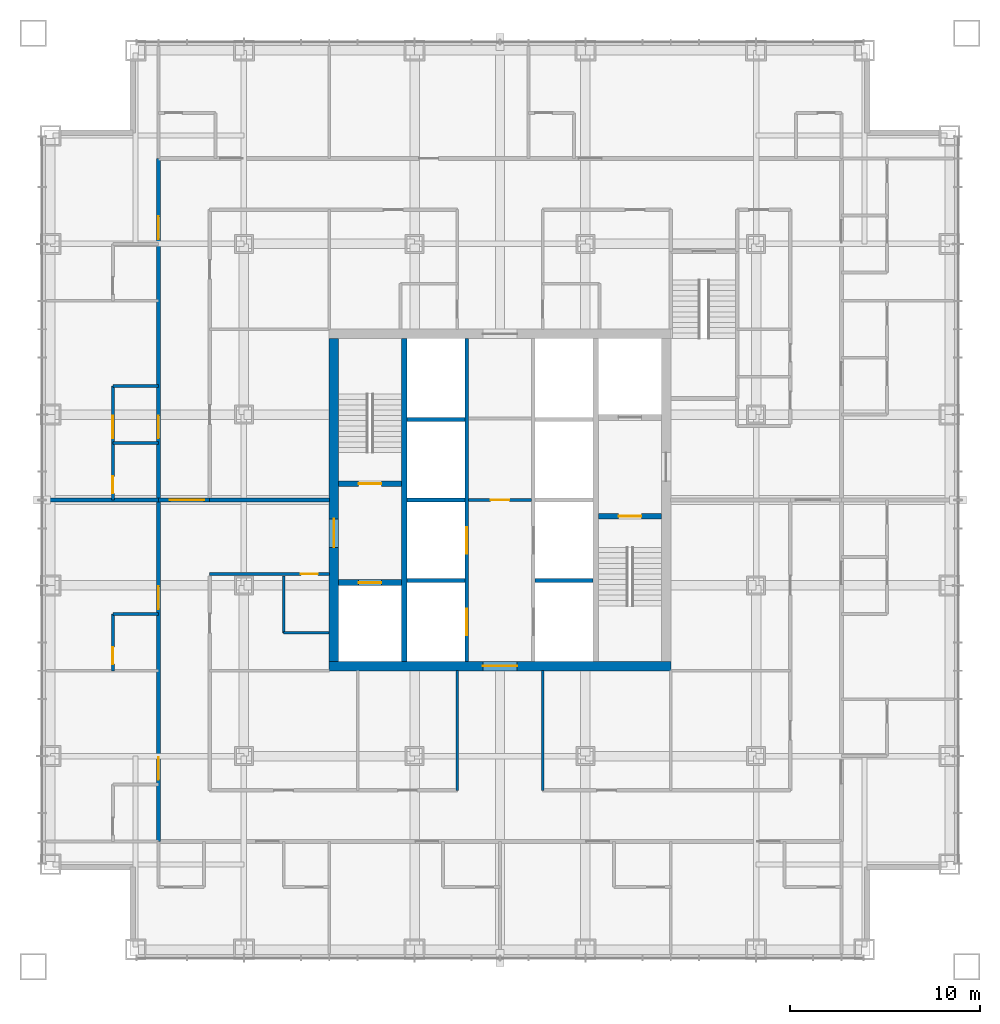
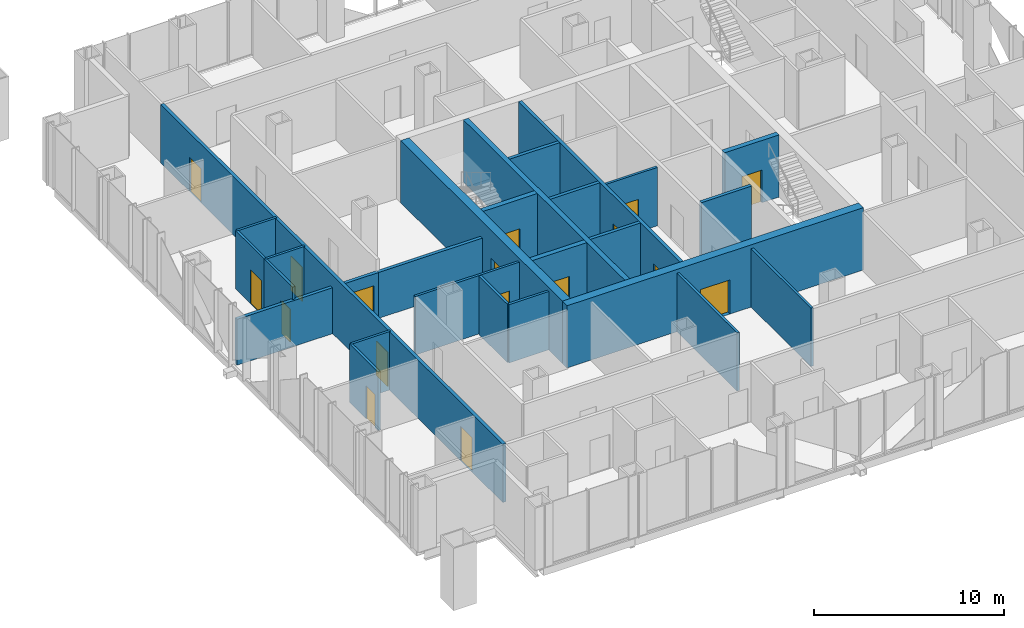
# One storey, part 9 of 13: 27 walls, 17 doors, 17 openings.
"""IFC4 building model written with IfcOpenShell, lengths in metres."""

from ifc_helpers import new_model, si_unit, direction, frame, frame_2d, origin, place, context, subcontext, project, spatial, rectangle, extrude, material, layer, layer_set, type_object, element, fill, save


model = new_model("IFC4")

# Units and contexts
model_context = context("Model", 3, precision=1e-05, world=origin(), true_north=direction((0.0, 1.0)))
body_context = subcontext(model_context, "Body", "Model", "MODEL_VIEW")
ifc_project = project(units=[si_unit("LENGTHUNIT", "METRE"), si_unit("AREAUNIT", "SQUARE_METRE"), si_unit("VOLUMEUNIT", "CUBIC_METRE"), si_unit("PLANEANGLEUNIT", "RADIAN"), si_unit("MASSUNIT", "GRAM", prefix="KILO")], contexts=[model_context])

# Site, building, storey
site_placement = place(None, origin())
site = spatial("IfcSite", under=ifc_project, at=site_placement, CompositionType="ELEMENT")
building_placement = place(site_placement, origin())
building = spatial("IfcBuilding", under=site, at=building_placement, Name="Malebo Sky Hospital", CompositionType="ELEMENT")
storey_placement = place(building_placement, frame((0.0, 0.0, 156.0)))
storey = spatial("IfcBuildingStorey", under=building, at=storey_placement, Name="L37", CompositionType="ELEMENT", Elevation=156.0)

# Wall, openings, doors
ifc_material_1 = material(Name="Concrete C80/95", Category="concrete")
ifc_layer_1 = layer(ifc_material_1, 0.199951171875)
ifc_layer_set_1 = layer_set([ifc_layer_1], Name="CORE INNER WALL 200")
wall_type_1 = type_object("IfcWallType", Name="CORE INNER WALL 200", PredefinedType="SHEAR", material=ifc_layer_set_1)
wall_1_placement = place(storey_placement, frame((58.25, 53.5, 0.0), z_axis=(0.0, 0.0, 1.0), x_axis=(0.0, 1.0, 0.0)))
wall_1 = element("IfcWall", 1, at=wall_1_placement, inside=storey, type_object=wall_type_1, Name="Core wall LW L37", PredefinedType="SHEAR", context=body_context, shape_type="SweptSolid", body=[
    extrude(rectangle(XDim=17.0, YDim=0.199951171875, at=frame_2d((8.5, 0.0))), origin(), (0.0, 0.0, 1.0), 4.0),
])
opening_1_placement = place(wall_1_placement, frame((1.375, 0.0, 0.0)))
opening_1 = element("IfcOpeningElement", 2, at=opening_1_placement, cuts=wall_1, Name="Opening LD1", PredefinedType="OPENING", context=body_context, shape_type="SweptSolid", body=[
    extrude(rectangle(XDim=1.39990234375, YDim=2.199951171875, at=frame_2d((0.699951171875, 1.10009765625))), frame((0.0, 0.10986328125, 0.0), z_axis=(0.0, -1.0, 0.0), x_axis=(1.0, 0.0, 0.0)), (0.0, 0.0, 1.0), 0.219970703125),
])
opening_2_placement = place(wall_1_placement, frame((5.675048828125, 0.0, 0.0)))
opening_2 = element("IfcOpeningElement", 3, at=opening_2_placement, cuts=wall_1, Name="Opening LD1", PredefinedType="OPENING", context=body_context, shape_type="SweptSolid", body=[
    extrude(rectangle(XDim=1.39990234375, YDim=2.199951171875, at=frame_2d((0.699951171875, 1.10009765625))), frame((0.0, 0.10986328125, 0.0), z_axis=(0.0, -1.0, 0.0), x_axis=(1.0, 0.0, 0.0)), (0.0, 0.0, 1.0), 0.219970703125),
])
ifc_material_2 = material(Name="Stainless steel sliding landing door", Category="steel")
door_type_1 = type_object("IfcDoorType", Name="LIFT LANDING DOOR 1400", OperationType="SLIDING_TO_LEFT", PredefinedType="DOOR", material=ifc_material_2)
door_1_placement = place(opening_1_placement, origin())
door_1 = element("IfcDoor", 4, at=door_1_placement, inside=storey, type_object=door_type_1, Name="Lift W1 landing door", OperationType="SLIDING_TO_LEFT", OverallHeight=2.199951171875, OverallWidth=1.39990234375, PredefinedType="DOOR", context=body_context, shape_type="SweptSolid", body=[
    extrude(rectangle(XDim=1.39990234375, YDim=2.199951171875, at=frame_2d((0.699951171875, 1.10009765625))), frame((0.0, 0.02490234375, 0.0), z_axis=(0.0, -1.0, 0.0), x_axis=(1.0, 0.0, 0.0)), (0.0, 0.0, 1.0), 0.050048828125),
])
fill(opening_1, door_1)
door_2_placement = place(opening_2_placement, origin())
door_2 = element("IfcDoor", 5, at=door_2_placement, inside=storey, type_object=door_type_1, Name="Lift W2 landing door", OperationType="SLIDING_TO_LEFT", OverallHeight=2.199951171875, OverallWidth=1.39990234375, PredefinedType="DOOR", context=body_context, shape_type="SweptSolid", body=[
    extrude(rectangle(XDim=1.39990234375, YDim=2.199951171875, at=frame_2d((0.699951171875, 1.10009765625))), frame((0.0, 0.02490234375, 0.0), z_axis=(0.0, -1.0, 0.0), x_axis=(1.0, 0.0, 0.0)), (0.0, 0.0, 1.0), 0.050048828125),
])
fill(opening_2, door_2)

# Walls
for number, where, z_axis, x_axis, name in (
    (6, (55.10009765625, 57.75, 0.0), (0.0, 0.0, 1.0), (1.0, 0.0, 0.0), "Core wall SW0 L37"),
    (7, (61.85009765625, 57.75, 0.0), (0.0, 0.0, 1.0), (1.0, 0.0, 0.0), "Core wall SE0 L37"),
    (8, (55.10009765625, 62.0, 0.0), (0.0, 0.0, 1.0), (1.0, 0.0, 0.0), "Core wall SW1 L37"),
    (9, (55.10009765625, 66.25, 0.0), (0.0, 0.0, 1.0), (1.0, 0.0, 0.0), "Core wall SW2 L37"),
):
    element("IfcWall", number, at=place(storey_placement, frame(where, z_axis=z_axis, x_axis=x_axis)), inside=storey, type_object=wall_type_1, Name=name, PredefinedType="SHEAR", context=body_context, shape_type="SweptSolid", body=[
        extrude(rectangle(XDim=3.0498046875, YDim=0.199951171875, at=frame_2d((1.52490234375, 0.0))), origin(), (0.0, 0.0, 1.0), 4.0),
    ])
ifc_layer_2 = layer(ifc_material_1, 0.300048828125)
ifc_layer_set_2 = layer_set([ifc_layer_2], Name="CORE INNER WALL 300")
wall_type_2 = type_object("IfcWallType", Name="CORE INNER WALL 300", PredefinedType="SHEAR", material=ifc_layer_set_2)
wall_2_placement = place(storey_placement, frame((54.949951171875, 53.5, 0.0), z_axis=(0.0, 0.0, 1.0), x_axis=(0.0, 1.0, 0.0)))
element("IfcWall", 10, at=wall_2_placement, inside=storey, type_object=wall_type_2, Name="Core wall XW L37", PredefinedType="SHEAR", context=body_context, shape_type="SweptSolid", body=[
    extrude(rectangle(XDim=17.0, YDim=0.300048828125, at=frame_2d((8.5, 0.0))), origin(), (0.0, 0.0, 1.0), 4.0),
])

# Wall, opening, door
wall_3_placement = place(storey_placement, frame((51.5, 62.85009765625, 0.0), z_axis=(0.0, 0.0, 1.0), x_axis=(1.0, 0.0, 0.0)))
wall_3 = element("IfcWall", 11, at=wall_3_placement, inside=storey, type_object=wall_type_2, Name="Core wall W1 L37", PredefinedType="SHEAR", context=body_context, shape_type="SweptSolid", body=[
    extrude(rectangle(XDim=3.300048828125, YDim=0.300048828125, at=frame_2d((1.64990234375, 0.0))), origin(), (0.0, 0.0, 1.0), 4.0),
])
opening_3_placement = place(wall_3_placement, frame((1.050048828125, 0.0, 0.0)))
opening_3 = element("IfcOpeningElement", 12, at=opening_3_placement, cuts=wall_3, Name="Opening D08", PredefinedType="OPENING", context=body_context, shape_type="SweptSolid", body=[
    extrude(rectangle(XDim=1.199951171875, YDim=2.10009765625, at=frame_2d((0.60009765625, 1.050048828125))), frame((0.0, 0.159912109375, 0.0), z_axis=(0.0, -1.0, 0.0), x_axis=(1.0, 0.0, 0.0)), (0.0, 0.0, 1.0), 0.320068359375),
])
ifc_material_3 = material(Name="Hardwood-faced door leaf in steel frame", Category="steel")
door_type_2 = type_object("IfcDoorType", Name="STAIR DOOR 1200", OperationType="SINGLE_SWING_LEFT", PredefinedType="DOOR", material=ifc_material_3)
door_3_placement = place(opening_3_placement, origin())
door_3 = element("IfcDoor", 13, at=door_3_placement, inside=storey, type_object=door_type_2, Name="Stair S1 door", OperationType="SINGLE_SWING_LEFT", OverallHeight=2.10009765625, OverallWidth=1.199951171875, PredefinedType="DOOR", context=body_context, shape_type="SweptSolid", body=[
    extrude(rectangle(XDim=1.199951171875, YDim=2.10009765625, at=frame_2d((0.60009765625, 1.050048828125))), frame((0.0, 0.02490234375, 0.0), z_axis=(0.0, -1.0, 0.0), x_axis=(1.0, 0.0, 0.0)), (0.0, 0.0, 1.0), 0.050048828125),
])
fill(opening_3, door_3)

wall_4_placement = place(storey_placement, frame((51.5, 57.64990234375, 0.0), z_axis=(0.0, 0.0, 1.0), x_axis=(1.0, 0.0, 0.0)))
wall_4 = element("IfcWall", 14, at=wall_4_placement, inside=storey, type_object=wall_type_2, Name="Core wall W2 L37", PredefinedType="SHEAR", context=body_context, shape_type="SweptSolid", body=[
    extrude(rectangle(XDim=3.300048828125, YDim=0.300048828125, at=frame_2d((1.64990234375, 0.0))), origin(), (0.0, 0.0, 1.0), 4.0),
])
opening_4_placement = place(wall_4_placement, frame((1.050048828125, 0.0, 0.0)))
opening_4 = element("IfcOpeningElement", 15, at=opening_4_placement, cuts=wall_4, Name="Opening LD2", PredefinedType="OPENING", context=body_context, shape_type="SweptSolid", body=[
    extrude(rectangle(XDim=1.199951171875, YDim=2.199951171875, at=frame_2d((0.60009765625, 1.10009765625))), frame((0.0, 0.159912109375, 0.0), z_axis=(0.0, -1.0, 0.0), x_axis=(1.0, 0.0, 0.0)), (0.0, 0.0, 1.0), 0.320068359375),
])
door_type_3 = type_object("IfcDoorType", Name="FIRE-FIGHTING LIFT LANDING DOOR 1200", OperationType="SLIDING_TO_LEFT", PredefinedType="DOOR", material=ifc_material_2)
door_4_placement = place(opening_4_placement, origin())
door_4 = element("IfcDoor", 16, at=door_4_placement, inside=storey, type_object=door_type_3, Name="Lift FL1 landing door", OperationType="SLIDING_TO_LEFT", OverallHeight=2.199951171875, OverallWidth=1.199951171875, PredefinedType="DOOR", context=body_context, shape_type="SweptSolid", body=[
    extrude(rectangle(XDim=1.199951171875, YDim=2.199951171875, at=frame_2d((0.60009765625, 1.10009765625))), frame((0.0, 0.02490234375, 0.0), z_axis=(0.0, -1.0, 0.0), x_axis=(1.0, 0.0, 0.0)), (0.0, 0.0, 1.0), 0.050048828125),
])
fill(opening_4, door_4)

wall_5_placement = place(storey_placement, frame((65.199951171875, 61.14990234375, 0.0), z_axis=(0.0, 0.0, 1.0), x_axis=(1.0, 0.0, 0.0)))
wall_5 = element("IfcWall", 17, at=wall_5_placement, inside=storey, type_object=wall_type_2, Name="Core wall E1 L37", PredefinedType="SHEAR", context=body_context, shape_type="SweptSolid", body=[
    extrude(rectangle(XDim=3.300048828125, YDim=0.300048828125, at=frame_2d((1.64990234375, 0.0))), origin(), (0.0, 0.0, 1.0), 4.0),
])
opening_5_placement = place(wall_5_placement, frame((1.050048828125, 0.0, 0.0)))
opening_5 = element("IfcOpeningElement", 18, at=opening_5_placement, cuts=wall_5, Name="Opening D08", PredefinedType="OPENING", context=body_context, shape_type="SweptSolid", body=[
    extrude(rectangle(XDim=1.199951171875, YDim=2.10009765625, at=frame_2d((0.60009765625, 1.050048828125))), frame((0.0, 0.159912109375, 0.0), z_axis=(0.0, -1.0, 0.0), x_axis=(1.0, 0.0, 0.0)), (0.0, 0.0, 1.0), 0.320068359375),
])
door_5_placement = place(opening_5_placement, origin())
door_5 = element("IfcDoor", 19, at=door_5_placement, inside=storey, type_object=door_type_2, Name="Stair S2 door", OperationType="SINGLE_SWING_LEFT", OverallHeight=2.10009765625, OverallWidth=1.199951171875, PredefinedType="DOOR", context=body_context, shape_type="SweptSolid", body=[
    extrude(rectangle(XDim=1.199951171875, YDim=2.10009765625, at=frame_2d((0.60009765625, 1.050048828125))), frame((0.0, 0.02490234375, 0.0), z_axis=(0.0, -1.0, 0.0), x_axis=(1.0, 0.0, 0.0)), (0.0, 0.0, 1.0), 0.050048828125),
])
fill(opening_5, door_5)

ifc_layer_3 = layer(ifc_material_1, 0.5)
ifc_layer_set_3 = layer_set([ifc_layer_3], Name="CORE WALL 500")
wall_type_3 = type_object("IfcWallType", Name="CORE WALL 500", PredefinedType="SHEAR", material=ifc_layer_set_3)
wall_6_placement = place(storey_placement, frame((51.0, 53.25, 0.0), z_axis=(0.0, 0.0, 1.0), x_axis=(1.0, 0.0, 0.0)))
wall_6 = element("IfcWall", 20, at=wall_6_placement, inside=storey, type_object=wall_type_3, Name="Core wall S L37", PredefinedType="SHEAR", context=body_context, shape_type="SweptSolid", body=[
    extrude(rectangle(XDim=18.0, YDim=0.5, at=frame_2d((9.0, 0.0))), origin(), (0.0, 0.0, 1.0), 4.0),
])
opening_6_placement = place(wall_6_placement, frame((8.10009765625, 0.0, 0.0)))
opening_6 = element("IfcOpeningElement", 21, at=opening_6_placement, cuts=wall_6, Name="Opening D06", PredefinedType="OPENING", context=body_context, shape_type="SweptSolid", body=[
    extrude(rectangle(XDim=1.800048828125, YDim=2.199951171875, at=frame_2d((0.89990234375, 1.10009765625))), frame((0.0, 0.260009765625, 0.0), z_axis=(0.0, -1.0, 0.0), x_axis=(1.0, 0.0, 0.0)), (0.0, 0.0, 1.0), 0.52001953125),
])
door_type_4 = type_object("IfcDoorType", Name="LOBBY DOOR PAIR 1800", OperationType="DOUBLE_DOOR_SINGLE_SWING", PredefinedType="DOOR", material=ifc_material_3)
door_6_placement = place(opening_6_placement, origin())
door_6 = element("IfcDoor", 22, at=door_6_placement, inside=storey, type_object=door_type_4, Name="Lift lobby door south", OperationType="DOUBLE_DOOR_SINGLE_SWING", OverallHeight=2.199951171875, OverallWidth=1.800048828125, PredefinedType="DOOR", context=body_context, shape_type="SweptSolid", body=[
    extrude(rectangle(XDim=1.800048828125, YDim=2.199951171875, at=frame_2d((0.89990234375, 1.10009765625))), frame((0.0, 0.02490234375, 0.0), z_axis=(0.0, -1.0, 0.0), x_axis=(1.0, 0.0, 0.0)), (0.0, 0.0, 1.0), 0.050048828125),
])
fill(opening_6, door_6)

wall_7_placement = place(storey_placement, frame((51.25, 53.5, 0.0), z_axis=(0.0, 0.0, 1.0), x_axis=(0.0, 1.0, 0.0)))
wall_7 = element("IfcWall", 23, at=wall_7_placement, inside=storey, type_object=wall_type_3, Name="Core wall W L37", PredefinedType="SHEAR", context=body_context, shape_type="SweptSolid", body=[
    extrude(rectangle(XDim=17.0, YDim=0.5, at=frame_2d((8.5, 0.0))), origin(), (0.0, 0.0, 1.0), 4.0),
])
opening_7_placement = place(wall_7_placement, frame((6.0, 0.0, 0.0)))
opening_7 = element("IfcOpeningElement", 24, at=opening_7_placement, cuts=wall_7, Name="Opening D07", PredefinedType="OPENING", context=body_context, shape_type="SweptSolid", body=[
    extrude(rectangle(XDim=1.5, YDim=2.199951171875, at=frame_2d((0.75, 1.10009765625))), frame((0.0, 0.260009765625, 0.0), z_axis=(0.0, -1.0, 0.0), x_axis=(1.0, 0.0, 0.0)), (0.0, 0.0, 1.0), 0.52001953125),
])
door_type_5 = type_object("IfcDoorType", Name="FIRE-FIGHTING LOBBY DOOR PAIR 1500", OperationType="DOUBLE_DOOR_SINGLE_SWING", PredefinedType="DOOR", material=ifc_material_3)
door_7_placement = place(opening_7_placement, origin())
door_7 = element("IfcDoor", 25, at=door_7_placement, inside=storey, type_object=door_type_5, Name="Fire-fighting lobby door west", OperationType="DOUBLE_DOOR_SINGLE_SWING", OverallHeight=2.199951171875, OverallWidth=1.5, PredefinedType="DOOR", context=body_context, shape_type="SweptSolid", body=[
    extrude(rectangle(XDim=1.5, YDim=2.199951171875, at=frame_2d((0.75, 1.10009765625))), frame((0.0, 0.02490234375, 0.0), z_axis=(0.0, -1.0, 0.0), x_axis=(1.0, 0.0, 0.0)), (0.0, 0.0, 1.0), 0.050048828125),
])
fill(opening_7, door_7)

# Wall, openings, doors
ifc_material_4 = material(Name="Gypsum board on steel studs", Category="steel")
ifc_layer_4 = layer(ifc_material_4, 0.199951171875)
ifc_layer_set_4 = layer_set([ifc_layer_4], Name="CORRIDOR WALL 200")
wall_type_4 = type_object("IfcWallType", Name="CORRIDOR WALL 200", PredefinedType="PARTITIONING", material=ifc_layer_set_4)
wall_8_placement = place(storey_placement, frame((42.0, 44.0, 0.0), z_axis=(0.0, 0.0, 1.0), x_axis=(0.0, 1.0, 0.0)))
wall_8 = element("IfcWall", 26, at=wall_8_placement, inside=storey, type_object=wall_type_4, Name="Corridor Wall 200 WCO", PredefinedType="PARTITIONING", context=body_context, shape_type="SweptSolid", body=[
    extrude(rectangle(XDim=36.0, YDim=0.199951171875, at=frame_2d((18.0, 0.0))), origin(), (0.0, 0.0, 1.0), 3.75),
])
opening_8_placement = place(wall_8_placement, frame((3.25, 0.0, 0.0)))
opening_8 = element("IfcOpeningElement", 27, at=opening_8_placement, cuts=wall_8, Name="Opening D01", PredefinedType="OPENING", context=body_context, shape_type="SweptSolid", body=[
    extrude(rectangle(XDim=1.199951171875, YDim=2.199951171875, at=frame_2d((0.60009765625, 1.10009765625))), frame((0.0, 0.10986328125, 0.0), z_axis=(0.0, -1.0, 0.0), x_axis=(1.0, 0.0, 0.0)), (0.0, 0.0, 1.0), 0.219970703125),
])
opening_9_placement = place(wall_8_placement, frame((12.25, 0.0, 0.0)))
opening_9 = element("IfcOpeningElement", 28, at=opening_9_placement, cuts=wall_8, Name="Opening D01", PredefinedType="OPENING", context=body_context, shape_type="SweptSolid", body=[
    extrude(rectangle(XDim=1.199951171875, YDim=2.199951171875, at=frame_2d((0.60009765625, 1.10009765625))), frame((0.0, 0.10986328125, 0.0), z_axis=(0.0, -1.0, 0.0), x_axis=(1.0, 0.0, 0.0)), (0.0, 0.0, 1.0), 0.219970703125),
])
opening_10_placement = place(wall_8_placement, frame((21.25, 0.0, 0.0)))
opening_10 = element("IfcOpeningElement", 29, at=opening_10_placement, cuts=wall_8, Name="Opening D18", PredefinedType="OPENING", context=body_context, shape_type="SweptSolid", body=[
    extrude(rectangle(XDim=1.199951171875, YDim=2.199951171875, at=frame_2d((0.60009765625, 1.10009765625))), frame((0.0, 0.10986328125, 0.0), z_axis=(0.0, -1.0, 0.0), x_axis=(1.0, 0.0, 0.0)), (0.0, 0.0, 1.0), 0.219970703125),
])
opening_11_placement = place(wall_8_placement, frame((31.75, 0.0, 0.0)))
opening_11 = element("IfcOpeningElement", 30, at=opening_11_placement, cuts=wall_8, Name="Opening D01", PredefinedType="OPENING", context=body_context, shape_type="SweptSolid", body=[
    extrude(rectangle(XDim=1.199951171875, YDim=2.199951171875, at=frame_2d((0.60009765625, 1.10009765625))), frame((0.0, 0.10986328125, 0.0), z_axis=(0.0, -1.0, 0.0), x_axis=(1.0, 0.0, 0.0)), (0.0, 0.0, 1.0), 0.219970703125),
])
door_type_6 = type_object("IfcDoorType", Name="ANTEROOM DOOR 1200", OperationType="SINGLE_SWING_LEFT", PredefinedType="DOOR", material=ifc_material_3)
door_8_placement = place(opening_10_placement, origin())
door_8 = element("IfcDoor", 31, at=door_8_placement, inside=storey, type_object=door_type_6, Name="Anteroom door", OperationType="SINGLE_SWING_LEFT", OverallHeight=2.199951171875, OverallWidth=1.199951171875, PredefinedType="DOOR", context=body_context, shape_type="SweptSolid", body=[
    extrude(rectangle(XDim=1.199951171875, YDim=2.199951171875, at=frame_2d((0.60009765625, 1.10009765625))), frame((0.0, 0.02490234375, 0.0), z_axis=(0.0, -1.0, 0.0), x_axis=(1.0, 0.0, 0.0)), (0.0, 0.0, 1.0), 0.050048828125),
])
fill(opening_10, door_8)
door_type_7 = type_object("IfcDoorType", Name="BED DOOR 1200", OperationType="SINGLE_SWING_LEFT", PredefinedType="DOOR", material=ifc_material_3)
door_9_placement = place(opening_8_placement, origin())
door_9 = element("IfcDoor", 32, at=door_9_placement, inside=storey, type_object=door_type_7, Name="Two-bed room door", OperationType="SINGLE_SWING_LEFT", OverallHeight=2.199951171875, OverallWidth=1.199951171875, PredefinedType="DOOR", context=body_context, shape_type="SweptSolid", body=[
    extrude(rectangle(XDim=1.199951171875, YDim=2.199951171875, at=frame_2d((0.60009765625, 1.10009765625))), frame((0.0, 0.02490234375, 0.0), z_axis=(0.0, -1.0, 0.0), x_axis=(1.0, 0.0, 0.0)), (0.0, 0.0, 1.0), 0.050048828125),
])
fill(opening_8, door_9)
door_10_placement = place(opening_9_placement, origin())
door_10 = element("IfcDoor", 33, at=door_10_placement, inside=storey, type_object=door_type_7, Name="Two-bed room door", OperationType="SINGLE_SWING_LEFT", OverallHeight=2.199951171875, OverallWidth=1.199951171875, PredefinedType="DOOR", context=body_context, shape_type="SweptSolid", body=[
    extrude(rectangle(XDim=1.199951171875, YDim=2.199951171875, at=frame_2d((0.60009765625, 1.10009765625))), frame((0.0, 0.02490234375, 0.0), z_axis=(0.0, -1.0, 0.0), x_axis=(1.0, 0.0, 0.0)), (0.0, 0.0, 1.0), 0.050048828125),
])
fill(opening_9, door_10)
door_11_placement = place(opening_11_placement, origin())
door_11 = element("IfcDoor", 34, at=door_11_placement, inside=storey, type_object=door_type_7, Name="Two-bed room door", OperationType="SINGLE_SWING_LEFT", OverallHeight=2.199951171875, OverallWidth=1.199951171875, PredefinedType="DOOR", context=body_context, shape_type="SweptSolid", body=[
    extrude(rectangle(XDim=1.199951171875, YDim=2.199951171875, at=frame_2d((0.60009765625, 1.10009765625))), frame((0.0, 0.02490234375, 0.0), z_axis=(0.0, -1.0, 0.0), x_axis=(1.0, 0.0, 0.0)), (0.0, 0.0, 1.0), 0.050048828125),
])
fill(opening_11, door_11)

# Wall, opening, door
ifc_layer_5 = layer(ifc_material_4, 0.14990234375)
ifc_layer_set_5 = layer_set([ifc_layer_5], Name="PARTITION 150")
wall_type_5 = type_object("IfcWallType", Name="PARTITION 150", PredefinedType="PARTITIONING", material=ifc_layer_set_5)
wall_9_placement = place(storey_placement, frame((39.60009765625, 53.0, 0.0), z_axis=(0.0, 0.0, 1.0), x_axis=(0.0, 1.0, 0.0)))
wall_9 = element("IfcWall", 35, at=wall_9_placement, inside=storey, type_object=wall_type_5, Name="Partition 150 WE1F", PredefinedType="PARTITIONING", context=body_context, shape_type="SweptSolid", body=[
    extrude(rectangle(XDim=3.0, YDim=0.14990234375, at=frame_2d((1.5, 0.0))), origin(), (0.0, 0.0, 1.0), 3.75),
])
opening_12_placement = place(wall_9_placement, frame((0.35009765625, 0.0, 0.0)))
opening_12 = element("IfcOpeningElement", 36, at=opening_12_placement, cuts=wall_9, Name="Opening D02", PredefinedType="OPENING", context=body_context, shape_type="SweptSolid", body=[
    extrude(rectangle(XDim=0.89990234375, YDim=2.10009765625, at=frame_2d((0.449951171875, 1.050048828125))), frame((0.0, 0.0849609375, 0.0), z_axis=(0.0, -1.0, 0.0), x_axis=(1.0, 0.0, 0.0)), (0.0, 0.0, 1.0), 0.169921875),
])
door_type_8 = type_object("IfcDoorType", Name="EN-SUITE DOOR 900", OperationType="SINGLE_SWING_LEFT", PredefinedType="DOOR", material=ifc_material_3)
door_12_placement = place(opening_12_placement, origin())
door_12 = element("IfcDoor", 37, at=door_12_placement, inside=storey, type_object=door_type_8, Name="En-suite door", OperationType="SINGLE_SWING_LEFT", OverallHeight=2.10009765625, OverallWidth=0.89990234375, PredefinedType="DOOR", context=body_context, shape_type="SweptSolid", body=[
    extrude(rectangle(XDim=0.89990234375, YDim=2.10009765625, at=frame_2d((0.449951171875, 1.050048828125))), frame((0.0, 0.02490234375, 0.0), z_axis=(0.0, -1.0, 0.0), x_axis=(1.0, 0.0, 0.0)), (0.0, 0.0, 1.0), 0.050048828125),
])
fill(opening_12, door_12)

# Wall
wall_10_placement = place(storey_placement, frame((42.0, 56.0, 0.0), z_axis=(0.0, 0.0, 1.0), x_axis=(-1.0, 0.0, 0.0)))
element("IfcWall", 38, at=wall_10_placement, inside=storey, type_object=wall_type_5, Name="Partition 150 WE1S", PredefinedType="PARTITIONING", context=body_context, shape_type="SweptSolid", body=[
    extrude(rectangle(XDim=2.39990234375, YDim=0.14990234375, at=frame_2d((1.199951171875, 0.0))), origin(), (0.0, 0.0, 1.0), 3.75),
])

# Wall, opening, door
wall_11_placement = place(storey_placement, frame((39.60009765625, 62.0, 0.0), z_axis=(0.0, 0.0, 1.0), x_axis=(0.0, 1.0, 0.0)))
wall_11 = element("IfcWall", 39, at=wall_11_placement, inside=storey, type_object=wall_type_5, Name="Partition 150 WE2F", PredefinedType="PARTITIONING", context=body_context, shape_type="SweptSolid", body=[
    extrude(rectangle(XDim=3.0, YDim=0.14990234375, at=frame_2d((1.5, 0.0))), origin(), (0.0, 0.0, 1.0), 3.75),
])
opening_13_placement = place(wall_11_placement, frame((0.35009765625, 0.0, 0.0)))
opening_13 = element("IfcOpeningElement", 40, at=opening_13_placement, cuts=wall_11, Name="Opening D02", PredefinedType="OPENING", context=body_context, shape_type="SweptSolid", body=[
    extrude(rectangle(XDim=0.89990234375, YDim=2.10009765625, at=frame_2d((0.449951171875, 1.050048828125))), frame((0.0, 0.0849609375, 0.0), z_axis=(0.0, -1.0, 0.0), x_axis=(1.0, 0.0, 0.0)), (0.0, 0.0, 1.0), 0.169921875),
])
door_13_placement = place(opening_13_placement, origin())
door_13 = element("IfcDoor", 41, at=door_13_placement, inside=storey, type_object=door_type_8, Name="En-suite door", OperationType="SINGLE_SWING_LEFT", OverallHeight=2.10009765625, OverallWidth=0.89990234375, PredefinedType="DOOR", context=body_context, shape_type="SweptSolid", body=[
    extrude(rectangle(XDim=0.89990234375, YDim=2.10009765625, at=frame_2d((0.449951171875, 1.050048828125))), frame((0.0, 0.02490234375, 0.0), z_axis=(0.0, -1.0, 0.0), x_axis=(1.0, 0.0, 0.0)), (0.0, 0.0, 1.0), 0.050048828125),
])
fill(opening_13, door_13)

# Wall
wall_12_placement = place(storey_placement, frame((42.0, 65.0, 0.0), z_axis=(0.0, 0.0, 1.0), x_axis=(-1.0, 0.0, 0.0)))
element("IfcWall", 42, at=wall_12_placement, inside=storey, type_object=wall_type_5, Name="Partition 150 WE2S", PredefinedType="PARTITIONING", context=body_context, shape_type="SweptSolid", body=[
    extrude(rectangle(XDim=2.39990234375, YDim=0.14990234375, at=frame_2d((1.199951171875, 0.0))), origin(), (0.0, 0.0, 1.0), 3.75),
])

# Wall, opening, door
wall_13_placement = place(storey_placement, frame((51.0, 58.10009765625, 0.0), z_axis=(0.0, 0.0, 1.0), x_axis=(-1.0, 0.0, 0.0)))
wall_13 = element("IfcWall", 43, at=wall_13_placement, inside=storey, type_object=wall_type_5, Name="Partition 150 WSPA", PredefinedType="PARTITIONING", context=body_context, shape_type="SweptSolid", body=[
    extrude(rectangle(XDim=6.300048828125, YDim=0.14990234375, at=frame_2d((3.14990234375, 0.0))), origin(), (0.0, 0.0, 1.0), 3.75),
])
opening_14_placement = place(wall_13_placement, frame((0.60009765625, 0.0, 0.0)))
opening_14 = element("IfcOpeningElement", 44, at=opening_14_placement, cuts=wall_13, Name="Opening D04", PredefinedType="OPENING", context=body_context, shape_type="SweptSolid", body=[
    extrude(rectangle(XDim=0.89990234375, YDim=2.10009765625, at=frame_2d((0.449951171875, 1.050048828125))), frame((0.0, 0.0849609375, 0.0), z_axis=(0.0, -1.0, 0.0), x_axis=(1.0, 0.0, 0.0)), (0.0, 0.0, 1.0), 0.169921875),
])
door_type_9 = type_object("IfcDoorType", Name="ROOM DOOR 900", OperationType="SINGLE_SWING_LEFT", PredefinedType="DOOR", material=ifc_material_3)
door_14_placement = place(opening_14_placement, origin())
door_14 = element("IfcDoor", 45, at=door_14_placement, inside=storey, type_object=door_type_9, Name="Cleaner's room door", OperationType="SINGLE_SWING_LEFT", OverallHeight=2.10009765625, OverallWidth=0.89990234375, PredefinedType="DOOR", context=body_context, shape_type="SweptSolid", body=[
    extrude(rectangle(XDim=0.89990234375, YDim=2.10009765625, at=frame_2d((0.449951171875, 1.050048828125))), frame((0.0, 0.02490234375, 0.0), z_axis=(0.0, -1.0, 0.0), x_axis=(1.0, 0.0, 0.0)), (0.0, 0.0, 1.0), 0.050048828125),
])
fill(opening_14, door_14)

# Walls
wall_14_placement = place(storey_placement, frame((48.60009765625, 55.0, 0.0), z_axis=(0.0, 0.0, 1.0), x_axis=(0.0, 1.0, 0.0)))
element("IfcWall", 46, at=wall_14_placement, inside=storey, type_object=wall_type_5, Name="Partition 150 WSX0", PredefinedType="PARTITIONING", context=body_context, shape_type="SweptSolid", body=[
    extrude(rectangle(XDim=3.0, YDim=0.14990234375, at=frame_2d((1.5, 0.0))), origin(), (0.0, 0.0, 1.0), 3.75),
])
wall_15_placement = place(storey_placement, frame((51.0, 55.0, 0.0), z_axis=(0.0, 0.0, 1.0), x_axis=(-1.0, 0.0, 0.0)))
element("IfcWall", 47, at=wall_15_placement, inside=storey, type_object=wall_type_5, Name="Partition 150 WSY0", PredefinedType="PARTITIONING", context=body_context, shape_type="SweptSolid", body=[
    extrude(rectangle(XDim=2.39990234375, YDim=0.14990234375, at=frame_2d((1.199951171875, 0.0))), origin(), (0.0, 0.0, 1.0), 3.75),
])
for number, where, z_axis, x_axis, name in (
    (48, (62.25, 53.0, 0.0), (0.0, 0.0, 1.0), (0.0, -1.0, 0.0), "Partition 150 SSPA"),
    (49, (57.75, 53.0, 0.0), (0.0, 0.0, 1.0), (0.0, -1.0, 0.0), "Partition 150 SSPB"),
):
    element("IfcWall", number, at=place(storey_placement, frame(where, z_axis=z_axis, x_axis=x_axis)), inside=storey, type_object=wall_type_5, Name=name, PredefinedType="PARTITIONING", context=body_context, shape_type="SweptSolid", body=[
        extrude(rectangle(XDim=6.300048828125, YDim=0.14990234375, at=frame_2d((3.14990234375, 0.0))), origin(), (0.0, 0.0, 1.0), 3.75),
    ])

# Wall, opening, door
wall_16_placement = place(storey_placement, frame((58.35009765625, 62.0, 0.0), z_axis=(0.0, 0.0, 1.0), x_axis=(1.0, 0.0, 0.0)))
wall_16 = element("IfcWall", 50, at=wall_16_placement, inside=storey, type_object=wall_type_5, Name="Partition 150 LBN", PredefinedType="PARTITIONING", context=body_context, shape_type="SweptSolid", body=[
    extrude(rectangle(XDim=3.2998046875, YDim=0.14990234375, at=frame_2d((1.64990234375, 0.0))), origin(), (0.0, 0.0, 1.0), 3.75),
])
opening_15_placement = place(wall_16_placement, frame((1.14990234375, 0.0, 0.0)))
opening_15 = element("IfcOpeningElement", 51, at=opening_15_placement, cuts=wall_16, Name="Opening D03", PredefinedType="OPENING", context=body_context, shape_type="SweptSolid", body=[
    extrude(rectangle(XDim=1.0, YDim=2.10009765625, at=frame_2d((0.5, 1.050048828125))), frame((0.0, 0.0849609375, 0.0), z_axis=(0.0, -1.0, 0.0), x_axis=(1.0, 0.0, 0.0)), (0.0, 0.0, 1.0), 0.169921875),
])
door_type_10 = type_object("IfcDoorType", Name="ROOM DOOR 1000", OperationType="SINGLE_SWING_LEFT", PredefinedType="DOOR", material=ifc_material_3)
door_15_placement = place(opening_15_placement, origin())
door_15 = element("IfcDoor", 52, at=door_15_placement, inside=storey, type_object=door_type_10, Name="Pantry store door", OperationType="SINGLE_SWING_LEFT", OverallHeight=2.10009765625, OverallWidth=1.0, PredefinedType="DOOR", context=body_context, shape_type="SweptSolid", body=[
    extrude(rectangle(XDim=1.0, YDim=2.10009765625, at=frame_2d((0.5, 1.050048828125))), frame((0.0, 0.02490234375, 0.0), z_axis=(0.0, -1.0, 0.0), x_axis=(1.0, 0.0, 0.0)), (0.0, 0.0, 1.0), 0.050048828125),
])
fill(opening_15, door_15)

ifc_material_5 = material(Name="Sealed gypsum board on steel studs, taped to the slab", Category="steel")
ifc_layer_6 = layer(ifc_material_5, 0.14990234375)
ifc_layer_set_6 = layer_set([ifc_layer_6], Name="SEALED ISOLATION PARTITION 150")
wall_type_6 = type_object("IfcWallType", Name="SEALED ISOLATION PARTITION 150", PredefinedType="PARTITIONING", material=ifc_layer_set_6)
wall_17_placement = place(storey_placement, frame((39.60009765625, 65.0, 0.0), z_axis=(0.0, 0.0, 1.0), x_axis=(0.0, 1.0, 0.0)))
wall_17 = element("IfcWall", 53, at=wall_17_placement, inside=storey, type_object=wall_type_6, Name="Sealed Isolation Partition 150 WA2F", PredefinedType="PARTITIONING", context=body_context, shape_type="SweptSolid", body=[
    extrude(rectangle(XDim=3.0, YDim=0.14990234375, at=frame_2d((1.5, 0.0))), origin(), (0.0, 0.0, 1.0), 3.75),
])
opening_16_placement = place(wall_17_placement, frame((0.25, 0.0, 0.0)))
opening_16 = element("IfcOpeningElement", 54, at=opening_16_placement, cuts=wall_17, Name="Opening D19", PredefinedType="OPENING", context=body_context, shape_type="SweptSolid", body=[
    extrude(rectangle(XDim=1.199951171875, YDim=2.199951171875, at=frame_2d((0.60009765625, 1.10009765625))), frame((0.0, 0.0849609375, 0.0), z_axis=(0.0, -1.0, 0.0), x_axis=(1.0, 0.0, 0.0)), (0.0, 0.0, 1.0), 0.169921875),
])
ifc_material_6 = material(Name="Hardwood-faced door leaf with perimeter seals in steel frame", Category="steel")
door_type_11 = type_object("IfcDoorType", Name="SEALED ISOLATION ROOM DOOR 1200", OperationType="SINGLE_SWING_LEFT", PredefinedType="DOOR", material=ifc_material_6)
door_16_placement = place(opening_16_placement, origin())
door_16 = element("IfcDoor", 55, at=door_16_placement, inside=storey, type_object=door_type_11, Name="Isolation room door", OperationType="SINGLE_SWING_LEFT", OverallHeight=2.199951171875, OverallWidth=1.199951171875, PredefinedType="DOOR", context=body_context, shape_type="SweptSolid", body=[
    extrude(rectangle(XDim=1.199951171875, YDim=2.199951171875, at=frame_2d((0.60009765625, 1.10009765625))), frame((0.0, 0.02490234375, 0.0), z_axis=(0.0, -1.0, 0.0), x_axis=(1.0, 0.0, 0.0)), (0.0, 0.0, 1.0), 0.050048828125),
])
fill(opening_16, door_16)

# Walls
wall_18_placement = place(storey_placement, frame((42.0, 68.0, 0.0), z_axis=(0.0, 0.0, 1.0), x_axis=(-1.0, 0.0, 0.0)))
element("IfcWall", 56, at=wall_18_placement, inside=storey, type_object=wall_type_6, Name="Sealed Isolation Partition 150 WA2S", PredefinedType="PARTITIONING", context=body_context, shape_type="SweptSolid", body=[
    extrude(rectangle(XDim=2.39990234375, YDim=0.14990234375, at=frame_2d((1.199951171875, 0.0))), origin(), (0.0, 0.0, 1.0), 3.75),
])
ifc_material_7 = material(Name="Concrete blockwork", Category="masonry")
ifc_layer_7 = layer(ifc_material_7, 0.199951171875)
ifc_layer_set_7 = layer_set([ifc_layer_7], Name="SMOKE BARRIER WALL 200")
wall_type_7 = type_object("IfcWallType", Name="SMOKE BARRIER WALL 200", PredefinedType="SOLIDWALL", material=ifc_layer_set_7)
wall_19_placement = place(storey_placement, frame((42.0, 62.0, 0.0), z_axis=(0.0, 0.0, 1.0), x_axis=(-1.0, 0.0, 0.0)))
element("IfcWall", 57, at=wall_19_placement, inside=storey, type_object=wall_type_7, Name="Smoke Barrier Wall 200 WP+0.0", PredefinedType="SOLIDWALL", context=body_context, shape_type="SweptSolid", body=[
    extrude(rectangle(XDim=5.909912109375, YDim=0.199951171875, at=frame_2d((2.955078125, 0.0))), origin(), (0.0, 0.0, 1.0), 2.949951171875),
])
wall_20_placement = place(storey_placement, frame((51.0, 62.0, 0.0), z_axis=(0.0, 0.0, 1.0), x_axis=(-1.0, 0.0, 0.0)))
element("IfcWall", 58, at=wall_20_placement, inside=storey, type_object=wall_type_7, Name="Smoke Barrier Wall 200 WSPB", PredefinedType="SOLIDWALL", context=body_context, shape_type="SweptSolid", body=[
    extrude(rectangle(XDim=6.300048828125, YDim=0.199951171875, at=frame_2d((3.14990234375, 0.0))), origin(), (0.0, 0.0, 1.0), 2.949951171875),
])

# Wall, opening, door
wall_21_placement = place(storey_placement, frame((44.699951171875, 62.0, 0.0), z_axis=(0.0, 0.0, 1.0), x_axis=(-1.0, 0.0, 0.0)))
wall_21 = element("IfcWall", 59, at=wall_21_placement, inside=storey, type_object=wall_type_7, Name="Smoke Barrier Wall 200 WSB", PredefinedType="SOLIDWALL", context=body_context, shape_type="SweptSolid", body=[
    extrude(rectangle(XDim=2.699951171875, YDim=0.199951171875, at=frame_2d((1.35009765625, 0.0))), origin(), (0.0, 0.0, 1.0), 2.949951171875),
])
opening_17_placement = place(wall_21_placement, frame((0.300048828125, 0.0, 0.0)))
opening_17 = element("IfcOpeningElement", 60, at=opening_17_placement, cuts=wall_21, Name="Opening D05", PredefinedType="OPENING", context=body_context, shape_type="SweptSolid", body=[
    extrude(rectangle(XDim=1.800048828125, YDim=2.199951171875, at=frame_2d((0.89990234375, 1.10009765625))), frame((0.0, 0.10986328125, 0.0), z_axis=(0.0, -1.0, 0.0), x_axis=(1.0, 0.0, 0.0)), (0.0, 0.0, 1.0), 0.219970703125),
])
door_type_12 = type_object("IfcDoorType", Name="SMOKE DOOR PAIR 1800", OperationType="DOUBLE_DOOR_DOUBLE_SWING", PredefinedType="DOOR", material=ifc_material_3)
door_17_placement = place(opening_17_placement, origin())
door_17 = element("IfcDoor", 61, at=door_17_placement, inside=storey, type_object=door_type_12, Name="Smoke compartment door pair", OperationType="DOUBLE_DOOR_DOUBLE_SWING", OverallHeight=2.199951171875, OverallWidth=1.800048828125, PredefinedType="DOOR", context=body_context, shape_type="SweptSolid", body=[
    extrude(rectangle(XDim=1.800048828125, YDim=2.199951171875, at=frame_2d((0.89990234375, 1.10009765625))), frame((0.0, 0.02490234375, 0.0), z_axis=(0.0, -1.0, 0.0), x_axis=(1.0, 0.0, 0.0)), (0.0, 0.0, 1.0), 0.050048828125),
])
fill(opening_17, door_17)

save(model, "model.ifc")
